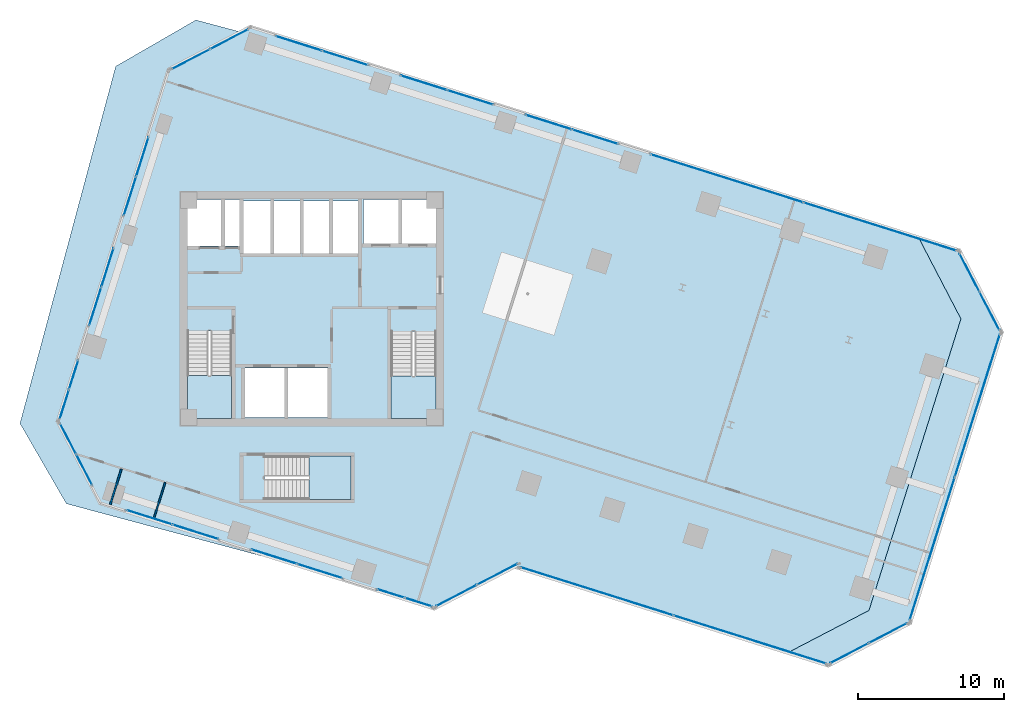
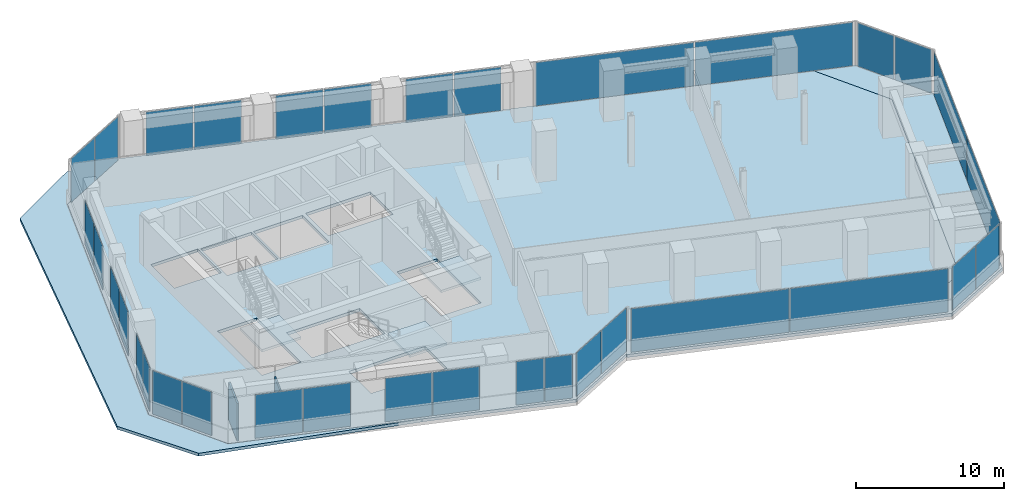
# One storey, part 20 of 28: 34 plates, 6 slabs, 2 walls, 20 elements without a shape of their own.
"""IFC4 building model written with IfcOpenShell, lengths in metres."""

from ifc_helpers import new_model, si_unit, direction, frame, frame_2d, origin, origin_2d, place, context, subcontext, project, spatial, polyline, rectangle, outline, extrude, source, transform, mapped, material, layer, layer_set, type_object, element, aggregate, save


model = new_model("IFC4")

# Units and contexts
model_context = context("Model", 3, precision=1e-05, world=origin(), true_north=direction((0.0, 1.0)))
body_context = subcontext(model_context, "Body", "Model", "MODEL_VIEW")
ifc_project = project(units=[si_unit("LENGTHUNIT", "METRE"), si_unit("AREAUNIT", "SQUARE_METRE"), si_unit("VOLUMEUNIT", "CUBIC_METRE"), si_unit("PLANEANGLEUNIT", "RADIAN"), si_unit("MASSUNIT", "GRAM", prefix="KILO")], contexts=[model_context])

# Site, building, storey
site_placement = place(None, origin())
site = spatial("IfcSite", under=ifc_project, at=site_placement, CompositionType="ELEMENT")
building_placement = place(site_placement, origin())
building = spatial("IfcBuilding", under=site, at=building_placement, Name="Torre Montelarca", CompositionType="ELEMENT")
storey_placement = place(building_placement, frame((0.0, 0.0, 112.60009765625)))
storey = spatial("IfcBuildingStorey", under=building, at=storey_placement, Name="L25", CompositionType="ELEMENT", Elevation=112.60009765625)

# Slabs
ifc_material_1 = material(Name="Concrete C40/50", Category="concrete")
ifc_layer_1 = layer(ifc_material_1, 0.239990234375, Name="Concrete C40/50", Category="concrete")
ifc_layer_set_1 = layer_set([ifc_layer_1], Name="Concrete C40/50")
slab_type_1 = type_object("IfcSlabType", Name="SL-FLR-240", PredefinedType="FLOOR", material=ifc_layer_set_1)
slab_1_placement = place(storey_placement, frame((0.0, 0.0, -0.239990234375)))
element("IfcSlab", 1, at=slab_1_placement, inside=storey, type_object=slab_type_1, Name="L25 Structural Floor Slab", PredefinedType="FLOOR", context=body_context, shape_type="SweptSolid", body=[
    extrude(outline(polyline([(26.422607421875, 11.36474609375), (32.067626953125, 14.30322265625), (32.03759765625, 14.207763671875), (50.635009765625, 8.343994140625), (56.27978515625, 11.28271484375), (62.5947265625, 31.310791015625), (59.65625, 36.95556640625), (13.782470703125, 51.41943359375), (8.137451171875, 48.48095703125), (0.49951171875, 24.256591796875), (3.43798828125, 18.61181640625), (26.422607421875, 11.36474609375)]), holes=[polyline([(20.699951171875, 18.89990234375), (14.760009765625, 18.89990234375), (14.760009765625, 21.889892578125), (20.699951171875, 21.889892578125), (20.699951171875, 18.89990234375)]), polyline([(19.10009765625, 24.550048828125), (13.39990234375, 24.550048828125), (13.39990234375, 27.949951171875), (19.10009765625, 27.949951171875), (19.10009765625, 24.550048828125)]), polyline([(23.43994140625, 24.449951171875), (23.43994140625, 30.429931640625), (26.550048828125, 30.429931640625), (26.550048828125, 24.449951171875), (23.43994140625, 24.449951171875)]), polyline([(9.449951171875, 24.449951171875), (9.449951171875, 30.4599609375), (12.5, 30.4599609375), (12.5, 24.449951171875), (9.449951171875, 24.449951171875)]), polyline([(17.25, 35.800048828125), (13.300048828125, 35.800048828125), (13.300048828125, 39.39990234375), (17.25, 39.39990234375), (17.25, 35.800048828125)]), polyline([(21.25, 35.800048828125), (17.39990234375, 35.800048828125), (17.39990234375, 39.39990234375), (21.25, 39.39990234375), (21.25, 35.800048828125)]), polyline([(13.1201171875, 36.300048828125), (9.449951171875, 36.300048828125), (9.449951171875, 39.5), (13.1201171875, 39.5), (13.1201171875, 36.300048828125)]), polyline([(26.60009765625, 36.449951171875), (21.550048828125, 36.449951171875), (21.550048828125, 39.5), (26.60009765625, 39.5), (26.60009765625, 36.449951171875)])]), origin(), (0.0, 0.0, 1.0), 0.239990234375),
])
slab_2_placement = place(storey_placement, frame((0.0, 0.0, -0.239990234375)))
element("IfcSlab", 2, at=slab_2_placement, inside=storey, type_object=slab_type_1, Name="L25 Sliding Tray Winter Garden Floor Slab E1", PredefinedType="FLOOR", context=body_context, shape_type="SweptSolid", body=[
    extrude(outline(polyline([(59.65625, 36.95556640625), (62.5947265625, 31.310791015625), (56.27978515625, 11.28271484375), (50.635009765625, 8.343994140625), (53.49609375, 7.44189453125), (59.14111328125, 10.380615234375), (65.455810546875, 30.40869140625), (62.517333984375, 36.053466796875), (59.65625, 36.95556640625)])), origin(), (0.0, 0.0, 1.0), 0.239990234375),
])
ifc_material_2 = material(Name="Architectural concrete C40/50", Category="concrete")
ifc_layer_2 = layer(ifc_material_2, 0.239990234375, Name="Architectural concrete C40/50", Category="concrete")
ifc_layer_set_2 = layer_set([ifc_layer_2], Name="Architectural concrete C40/50")
slab_type_2 = type_object("IfcSlabType", Name="SL-ROOF-EXT-240", PredefinedType="ROOF", material=ifc_layer_set_2)
slab_3_placement = place(storey_placement, frame((0.0, 0.0, -0.239990234375)))
element("IfcSlab", 3, at=slab_3_placement, inside=storey, type_object=slab_type_2, Name="L24 Setback and Tray Overhang Roof Cap Slab 01", PredefinedType="ROOF", context=body_context, shape_type="SweptSolid", body=[
    extrude(outline(polyline([(3.4326171875, 18.60498046875), (0.490966796875, 24.255859375), (8.130859375, 48.486572265625), (13.035400390625, 51.03955078125), (10.044921875, 51.8408203125), (4.533447265625, 48.658935546875), (-2.04052734375, 24.12451171875), (1.1416015625, 18.613037109375), (16.22998046875, 14.570068359375), (3.4326171875, 18.60498046875)])), origin(), (0.0, 0.0, 1.0), 0.239990234375),
])

# Stair, slab
stair_type_1 = type_object("IfcStairType", Name="ST-CORE-ST1", PredefinedType="HALF_TURN_STAIR", material=ifc_material_1)
stair_1_placement = place(storey_placement, origin())
stair_1 = element("IfcStair", 4, at=stair_1_placement, inside=storey, type_object=stair_type_1, Name="L25 Protected Exit Stair ST1", PredefinedType="HALF_TURN_STAIR")
ifc_layer_3 = layer(ifc_material_1, 0.199951171875, Name="Concrete C40/50", Category="concrete")
ifc_layer_set_3 = layer_set([ifc_layer_3], Name="Concrete C40/50")
slab_type_3 = type_object("IfcSlabType", Name="SL-ST-LAND-ST1", PredefinedType="LANDING", material=ifc_layer_set_3)
slab_4_placement = place(storey_placement, frame((0.0, 0.0, 1.89990234375)))
slab_4 = element("IfcSlab", 5, at=slab_4_placement, type_object=slab_type_3, Name="ST1 landing 1", PredefinedType="LANDING", context=body_context, shape_type="SweptSolid", body=[
    extrude(outline(polyline([(9.449951171875, 27.419921875), (9.449951171875, 24.449951171875), (12.5, 24.449951171875), (12.5, 27.419921875), (9.449951171875, 27.419921875)])), origin(), (0.0, 0.0, 1.0), 0.199951171875),
])
aggregate(stair_1, [slab_4])

stair_type_2 = type_object("IfcStairType", Name="ST-CORE-ST2", PredefinedType="HALF_TURN_STAIR", material=ifc_material_1)
stair_2_placement = place(storey_placement, origin())
stair_2 = element("IfcStair", 6, at=stair_2_placement, inside=storey, type_object=stair_type_2, Name="L25 Protected Exit Stair ST2", PredefinedType="HALF_TURN_STAIR")
ifc_layer_4 = layer(ifc_material_1, 0.199951171875, Name="Concrete C40/50", Category="concrete")
ifc_layer_set_4 = layer_set([ifc_layer_4], Name="Concrete C40/50")
slab_type_4 = type_object("IfcSlabType", Name="SL-ST-LAND-ST2", PredefinedType="LANDING", material=ifc_layer_set_4)
slab_5_placement = place(storey_placement, frame((0.0, 0.0, 1.89990234375)))
slab_5 = element("IfcSlab", 7, at=slab_5_placement, type_object=slab_type_4, Name="ST2 landing 1", PredefinedType="LANDING", context=body_context, shape_type="SweptSolid", body=[
    extrude(outline(polyline([(23.43994140625, 27.389892578125), (23.43994140625, 24.449951171875), (26.550048828125, 24.449951171875), (26.550048828125, 27.389892578125), (23.43994140625, 27.389892578125)])), origin(), (0.0, 0.0, 1.0), 0.199951171875),
])
aggregate(stair_2, [slab_5])

stair_type_3 = type_object("IfcStairType", Name="ST-CORE-ST3", PredefinedType="HALF_TURN_STAIR", material=ifc_material_1)
stair_3_placement = place(storey_placement, origin())
stair_3 = element("IfcStair", 8, at=stair_3_placement, inside=storey, type_object=stair_type_3, Name="L25 Low-Rise Exit Stair ST3", PredefinedType="HALF_TURN_STAIR")
ifc_layer_5 = layer(ifc_material_1, 0.199951171875, Name="Concrete C40/50", Category="concrete")
ifc_layer_set_5 = layer_set([ifc_layer_5], Name="Concrete C40/50")
slab_type_5 = type_object("IfcSlabType", Name="SL-ST-LAND-ST3", PredefinedType="LANDING", material=ifc_layer_set_5)
slab_6_placement = place(storey_placement, frame((0.0, 0.0, 1.89990234375)))
slab_6 = element("IfcSlab", 9, at=slab_6_placement, type_object=slab_type_5, Name="ST3 landing 1", PredefinedType="LANDING", context=body_context, shape_type="SweptSolid", body=[
    extrude(outline(polyline([(17.800048828125, 18.89990234375), (20.699951171875, 18.89990234375), (20.699951171875, 21.889892578125), (17.800048828125, 21.889892578125), (17.800048828125, 18.89990234375)])), origin(), (0.0, 0.0, 1.0), 0.199951171875),
])
aggregate(stair_3, [slab_6])

# Curtain wall, plates
ifc_material_3 = material(Name="Insulated low-E laminated glass", Category="glass")
curtain_wall_type = type_object("IfcCurtainWallType", Name="CW-SYS-Z1", PredefinedType="USERDEFINED", material=ifc_material_3)
curtain_wall_1_placement = place(storey_placement, origin())
curtain_wall_1 = element("IfcCurtainWall", 10, at=curtain_wall_1_placement, inside=storey, type_object=curtain_wall_type, Name="L25 Curtain Wall Run CW-T3-L25-E05-B1", ObjectType="UNITISED GLAZING", PredefinedType="USERDEFINED")
ifc_layer_6 = layer(ifc_material_3, 0.028076171875, Name="Insulated low-E laminated glass", Category="glass")
ifc_layer_set_6 = layer_set([ifc_layer_6], Name="Insulated low-E laminated glass")
plate_type = type_object("IfcPlateType", Name="CWP-GLZ-28", PredefinedType="CURTAIN_PANEL", material=ifc_layer_set_6)
shared_shape_1 = source(origin(), body_context, "Body", "SweptSolid", [
    extrude(rectangle(XDim=2.918701171875, YDim=0.028076171875, at=origin_2d()), origin(), (0.0, 0.0, 1.0), 3.590087890625),
])
plate_1_placement = place(storey_placement, frame((54.935302734375, 8.337646484375, 0.06494140625), z_axis=(0.0, 0.0, 1.0), x_axis=(0.887021029316, 0.461729026109, 0.0)))
plate_1 = element("IfcPlate", 11, at=plate_1_placement, type_object=plate_type, Name="CW panel 1.1", PredefinedType="CURTAIN_PANEL", context=body_context, shape_type="MappedRepresentation", body=[
    mapped(shared_shape_1, transform((0.0, 0.0, 0.0), scale=1.0)),
])
plate_2_placement = place(storey_placement, frame((57.581787109375, 9.71533203125, 0.06494140625), z_axis=(0.0, 0.0, 1.0), x_axis=(0.887021029316, 0.461729026109, 0.0)))
plate_2 = element("IfcPlate", 12, at=plate_2_placement, type_object=plate_type, Name="CW panel 2.1", PredefinedType="CURTAIN_PANEL", context=body_context, shape_type="MappedRepresentation", body=[
    mapped(shared_shape_1, transform((0.0, 0.0, 0.0), scale=1.0)),
])
aggregate(curtain_wall_1, [plate_1, plate_2])

curtain_wall_2_placement = place(storey_placement, origin())
curtain_wall_2 = element("IfcCurtainWall", 13, at=curtain_wall_2_placement, inside=storey, type_object=curtain_wall_type, Name="L25 Curtain Wall Run CW-T3-L25-E07-B1", ObjectType="UNITISED GLAZING", PredefinedType="USERDEFINED")
plate_3_placement = place(storey_placement, frame((64.56005859375, 31.84765625, 0.06494140625), z_axis=(0.0, 0.0, 1.0), x_axis=(-0.461742069139, 0.887014239788, 0.0)))
plate_3 = element("IfcPlate", 14, at=plate_3_placement, type_object=plate_type, Name="CW panel 1.1", PredefinedType="CURTAIN_PANEL", context=body_context, shape_type="MappedRepresentation", body=[
    mapped(shared_shape_1, transform((0.0, 0.0, 0.0), scale=1.0)),
])
plate_4_placement = place(storey_placement, frame((63.182373046875, 34.494384765625, 0.06494140625), z_axis=(0.0, 0.0, 1.0), x_axis=(-0.461742069139, 0.887014239788, 0.0)))
plate_4 = element("IfcPlate", 15, at=plate_4_placement, type_object=plate_type, Name="CW panel 2.1", PredefinedType="CURTAIN_PANEL", context=body_context, shape_type="MappedRepresentation", body=[
    mapped(shared_shape_1, transform((0.0, 0.0, 0.0), scale=1.0)),
])
aggregate(curtain_wall_2, [plate_3, plate_4])

curtain_wall_3_placement = place(storey_placement, origin())
curtain_wall_3 = element("IfcCurtainWall", 16, at=curtain_wall_3_placement, inside=storey, type_object=curtain_wall_type, Name="L25 Curtain Wall Run CW-T3-L25-E09-B1", ObjectType="UNITISED GLAZING", PredefinedType="USERDEFINED")
plate_5_placement = place(storey_placement, frame((12.34326171875, 50.523681640625, 0.06494140625), z_axis=(0.0, 0.0, 1.0), x_axis=(-0.887021029316, -0.461729026109, 0.0)))
plate_5 = element("IfcPlate", 17, at=plate_5_placement, type_object=plate_type, Name="CW panel 1.1", PredefinedType="CURTAIN_PANEL", context=body_context, shape_type="MappedRepresentation", body=[
    mapped(shared_shape_1, transform((0.0, 0.0, 0.0), scale=1.0)),
])
plate_6_placement = place(storey_placement, frame((9.69677734375, 49.146240234375, 0.06494140625), z_axis=(0.0, 0.0, 1.0), x_axis=(-0.887021029316, -0.461729026109, 0.0)))
plate_6 = element("IfcPlate", 18, at=plate_6_placement, type_object=plate_type, Name="CW panel 2.1", PredefinedType="CURTAIN_PANEL", context=body_context, shape_type="MappedRepresentation", body=[
    mapped(shared_shape_1, transform((0.0, 0.0, 0.0), scale=1.0)),
])
aggregate(curtain_wall_3, [plate_5, plate_6])

curtain_wall_4_placement = place(storey_placement, origin())
curtain_wall_4 = element("IfcCurtainWall", 19, at=curtain_wall_4_placement, inside=storey, type_object=curtain_wall_type, Name="L25 Curtain Wall Run CW-T3-L25-E10-B3", ObjectType="UNITISED GLAZING", PredefinedType="USERDEFINED")
shared_shape_2 = source(origin(), body_context, "Body", "SweptSolid", [
    extrude(rectangle(XDim=2.067138671875, YDim=0.028076171875, at=origin_2d()), origin(), (0.0, 0.0, 1.0), 3.590087890625),
])
plate_7_placement = place(storey_placement, frame((1.644775390625, 27.456787109375, 0.06494140625), z_axis=(0.0, 0.0, 1.0), x_axis=(-0.300704614611, -0.953717324343, 0.0)))
plate_7 = element("IfcPlate", 20, at=plate_7_placement, type_object=plate_type, Name="CW panel 1.1", PredefinedType="CURTAIN_PANEL", context=body_context, shape_type="MappedRepresentation", body=[
    mapped(shared_shape_2, transform((0.0, 0.0, 0.0), scale=1.0)),
])
plate_8_placement = place(storey_placement, frame((1.003662109375, 25.42333984375, 0.06494140625), z_axis=(0.0, 0.0, 1.0), x_axis=(-0.300704614611, -0.953717324343, 0.0)))
plate_8 = element("IfcPlate", 21, at=plate_8_placement, type_object=plate_type, Name="CW panel 2.1", PredefinedType="CURTAIN_PANEL", context=body_context, shape_type="MappedRepresentation", body=[
    mapped(shared_shape_2, transform((0.0, 0.0, 0.0), scale=1.0)),
])
aggregate(curtain_wall_4, [plate_7, plate_8])

curtain_wall_5_placement = place(storey_placement, origin())
curtain_wall_5 = element("IfcCurtainWall", 22, at=curtain_wall_5_placement, inside=storey, type_object=curtain_wall_type, Name="L25 Curtain Wall Run CW-T3-L25-E01-B1", ObjectType="UNITISED GLAZING", PredefinedType="USERDEFINED")
shared_shape_3 = source(origin(), body_context, "Body", "SweptSolid", [
    extrude(rectangle(XDim=3.2724609375, YDim=0.028076171875, at=origin_2d()), origin(), (0.0, 0.0, 1.0), 3.590087890625),
])
plate_9_placement = place(storey_placement, frame((6.844970703125, 17.673828125, 0.06494140625), z_axis=(0.0, 0.0, 1.0), x_axis=(0.953715765505, -0.300709558589, 0.0)))
plate_9 = element("IfcPlate", 23, at=plate_9_placement, type_object=plate_type, Name="CW panel 1.1", PredefinedType="CURTAIN_PANEL", context=body_context, shape_type="MappedRepresentation", body=[
    mapped(shared_shape_3, transform((0.0, 0.0, 0.0), scale=1.0)),
])
plate_10_placement = place(storey_placement, frame((10.028076171875, 16.670166015625, 0.06494140625), z_axis=(0.0, 0.0, 1.0), x_axis=(0.953715765505, -0.300709558589, 0.0)))
plate_10 = element("IfcPlate", 24, at=plate_10_placement, type_object=plate_type, Name="CW panel 2.1", PredefinedType="CURTAIN_PANEL", context=body_context, shape_type="MappedRepresentation", body=[
    mapped(shared_shape_3, transform((0.0, 0.0, 0.0), scale=1.0)),
])
aggregate(curtain_wall_5, [plate_9, plate_10])

curtain_wall_6_placement = place(storey_placement, origin())
curtain_wall_6 = element("IfcCurtainWall", 25, at=curtain_wall_6_placement, inside=storey, type_object=curtain_wall_type, Name="L25 Curtain Wall Run CW-T3-L25-E08-B2", ObjectType="UNITISED GLAZING", PredefinedType="USERDEFINED")
plate_11_placement = place(storey_placement, frame((37.4609375, 43.8173828125, 0.06494140625), z_axis=(0.0, 0.0, 1.0), x_axis=(-0.953714423855, 0.30071381367, 0.0)))
plate_11 = element("IfcPlate", 26, at=plate_11_placement, type_object=plate_type, Name="CW panel 1.1", PredefinedType="CURTAIN_PANEL", context=body_context, shape_type="MappedRepresentation", body=[
    mapped(shared_shape_3, transform((0.0, 0.0, 0.0), scale=1.0)),
])
plate_12_placement = place(storey_placement, frame((34.278076171875, 44.821044921875, 0.06494140625), z_axis=(0.0, 0.0, 1.0), x_axis=(-0.953714423855, 0.30071381367, 0.0)))
plate_12 = element("IfcPlate", 27, at=plate_12_placement, type_object=plate_type, Name="CW panel 2.1", PredefinedType="CURTAIN_PANEL", context=body_context, shape_type="MappedRepresentation", body=[
    mapped(shared_shape_3, transform((0.0, 0.0, 0.0), scale=1.0)),
])
aggregate(curtain_wall_6, [plate_11, plate_12])

curtain_wall_7_placement = place(storey_placement, origin())
curtain_wall_7 = element("IfcCurtainWall", 28, at=curtain_wall_7_placement, inside=storey, type_object=curtain_wall_type, Name="L25 Curtain Wall Run CW-T3-L25-E08-B3", ObjectType="UNITISED GLAZING", PredefinedType="USERDEFINED")
plate_13_placement = place(storey_placement, frame((28.877685546875, 46.523681640625, 0.06494140625), z_axis=(0.0, 0.0, 1.0), x_axis=(-0.953715765505, 0.300709558589, 0.0)))
plate_13 = element("IfcPlate", 29, at=plate_13_placement, type_object=plate_type, Name="CW panel 1.1", PredefinedType="CURTAIN_PANEL", context=body_context, shape_type="MappedRepresentation", body=[
    mapped(shared_shape_3, transform((0.0, 0.0, 0.0), scale=1.0)),
])
plate_14_placement = place(storey_placement, frame((25.694580078125, 47.52734375, 0.06494140625), z_axis=(0.0, 0.0, 1.0), x_axis=(-0.953715765505, 0.300709558589, 0.0)))
plate_14 = element("IfcPlate", 30, at=plate_14_placement, type_object=plate_type, Name="CW panel 2.1", PredefinedType="CURTAIN_PANEL", context=body_context, shape_type="MappedRepresentation", body=[
    mapped(shared_shape_3, transform((0.0, 0.0, 0.0), scale=1.0)),
])
aggregate(curtain_wall_7, [plate_13, plate_14])

curtain_wall_8_placement = place(storey_placement, origin())
curtain_wall_8 = element("IfcCurtainWall", 31, at=curtain_wall_8_placement, inside=storey, type_object=curtain_wall_type, Name="L25 Curtain Wall Run CW-T3-L25-E08-B4", ObjectType="UNITISED GLAZING", PredefinedType="USERDEFINED")
plate_15_placement = place(storey_placement, frame((20.294189453125, 49.22998046875, 0.06494140625), z_axis=(0.0, 0.0, 1.0), x_axis=(-0.953720020459, 0.300696063452, 0.0)))
plate_15 = element("IfcPlate", 32, at=plate_15_placement, type_object=plate_type, Name="CW panel 1.1", PredefinedType="CURTAIN_PANEL", context=body_context, shape_type="MappedRepresentation", body=[
    mapped(shared_shape_3, transform((0.0, 0.0, 0.0), scale=1.0)),
])
plate_16_placement = place(storey_placement, frame((17.111083984375, 50.233642578125, 0.06494140625), z_axis=(0.0, 0.0, 1.0), x_axis=(-0.953720020459, 0.300696063452, 0.0)))
plate_16 = element("IfcPlate", 33, at=plate_16_placement, type_object=plate_type, Name="CW panel 2.1", PredefinedType="CURTAIN_PANEL", context=body_context, shape_type="MappedRepresentation", body=[
    mapped(shared_shape_3, transform((0.0, 0.0, 0.0), scale=1.0)),
])
aggregate(curtain_wall_8, [plate_15, plate_16])

curtain_wall_9_placement = place(storey_placement, origin())
curtain_wall_9 = element("IfcCurtainWall", 34, at=curtain_wall_9_placement, inside=storey, type_object=curtain_wall_type, Name="L25 Curtain Wall Run CW-T3-L25-E01-B2", ObjectType="UNITISED GLAZING", PredefinedType="USERDEFINED")
shared_shape_4 = source(origin(), body_context, "Body", "SweptSolid", [
    extrude(rectangle(XDim=3.23486328125, YDim=0.028076171875, at=origin_2d()), origin(), (0.0, 0.0, 1.0), 3.590087890625),
])
plate_17_placement = place(storey_placement, frame((15.41064453125, 14.97314453125, 0.06494140625), z_axis=(0.0, 0.0, 1.0), x_axis=(0.953721113808, -0.300692595648, 0.0)))
plate_17 = element("IfcPlate", 35, at=plate_17_placement, type_object=plate_type, Name="CW panel 1.1", PredefinedType="CURTAIN_PANEL", context=body_context, shape_type="MappedRepresentation", body=[
    mapped(shared_shape_4, transform((0.0, 0.0, 0.0), scale=1.0)),
])
plate_18_placement = place(storey_placement, frame((18.557861328125, 13.980712890625, 0.06494140625), z_axis=(0.0, 0.0, 1.0), x_axis=(0.953721113808, -0.300692595648, 0.0)))
plate_18 = element("IfcPlate", 36, at=plate_18_placement, type_object=plate_type, Name="CW panel 2.1", PredefinedType="CURTAIN_PANEL", context=body_context, shape_type="MappedRepresentation", body=[
    mapped(shared_shape_4, transform((0.0, 0.0, 0.0), scale=1.0)),
])
aggregate(curtain_wall_9, [plate_17, plate_18])

curtain_wall_10_placement = place(storey_placement, origin())
curtain_wall_10 = element("IfcCurtainWall", 37, at=curtain_wall_10_placement, inside=storey, type_object=curtain_wall_type, Name="L25 Curtain Wall Run CW-T3-L25-E01-B3", ObjectType="UNITISED GLAZING", PredefinedType="USERDEFINED")
shared_shape_5 = source(origin(), body_context, "Body", "SweptSolid", [
    extrude(rectangle(XDim=1.9169921875, YDim=0.028076171875, at=origin_2d()), origin(), (0.0, 0.0, 1.0), 3.590087890625),
])
plate_19_placement = place(storey_placement, frame((23.43701171875, 12.4423828125, 0.06494140625), z_axis=(0.0, 0.0, 1.0), x_axis=(0.953716855087, -0.300706102902, 0.0)))
plate_19 = element("IfcPlate", 38, at=plate_19_placement, type_object=plate_type, Name="CW panel 1.1", PredefinedType="CURTAIN_PANEL", context=body_context, shape_type="MappedRepresentation", body=[
    mapped(shared_shape_5, transform((0.0, 0.0, 0.0), scale=1.0)),
])
plate_20_placement = place(storey_placement, frame((25.327392578125, 11.846435546875, 0.06494140625), z_axis=(0.0, 0.0, 1.0), x_axis=(0.953716855087, -0.300706102902, 0.0)))
plate_20 = element("IfcPlate", 39, at=plate_20_placement, type_object=plate_type, Name="CW panel 2.1", PredefinedType="CURTAIN_PANEL", context=body_context, shape_type="MappedRepresentation", body=[
    mapped(shared_shape_5, transform((0.0, 0.0, 0.0), scale=1.0)),
])
aggregate(curtain_wall_10, [plate_19, plate_20])

curtain_wall_11_placement = place(storey_placement, origin())
curtain_wall_11 = element("IfcCurtainWall", 40, at=curtain_wall_11_placement, inside=storey, type_object=curtain_wall_type, Name="L25 Curtain Wall Run CW-T3-L25-E02-B1", ObjectType="UNITISED GLAZING", PredefinedType="USERDEFINED")
shared_shape_6 = source(origin(), body_context, "Body", "SweptSolid", [
    extrude(rectangle(XDim=3.1025390625, YDim=0.028076171875, at=origin_2d()), origin(), (0.0, 0.0, 1.0), 3.590087890625),
])
plate_21_placement = place(storey_placement, frame((27.943359375, 12.302978515625, 0.06494140625), z_axis=(0.0, 0.0, 1.0), x_axis=(0.887014618203, 0.461741342198, 0.0)))
plate_21 = element("IfcPlate", 41, at=plate_21_placement, type_object=plate_type, Name="CW panel 1.1", PredefinedType="CURTAIN_PANEL", context=body_context, shape_type="MappedRepresentation", body=[
    mapped(shared_shape_6, transform((0.0, 0.0, 0.0), scale=1.0)),
])
plate_22_placement = place(storey_placement, frame((30.7529296875, 13.765380859375, 0.06494140625), z_axis=(0.0, 0.0, 1.0), x_axis=(0.887014618203, 0.461741342198, 0.0)))
plate_22 = element("IfcPlate", 42, at=plate_22_placement, type_object=plate_type, Name="CW panel 2.1", PredefinedType="CURTAIN_PANEL", context=body_context, shape_type="MappedRepresentation", body=[
    mapped(shared_shape_6, transform((0.0, 0.0, 0.0), scale=1.0)),
])
aggregate(curtain_wall_11, [plate_21, plate_22])

curtain_wall_12_placement = place(storey_placement, origin())
curtain_wall_12 = element("IfcCurtainWall", 43, at=curtain_wall_12_placement, inside=storey, type_object=curtain_wall_type, Name="L25 Curtain Wall Run CW-T3-L25-E10-B2", ObjectType="UNITISED GLAZING", PredefinedType="USERDEFINED")
shared_shape_7 = source(origin(), body_context, "Body", "SweptSolid", [
    extrude(rectangle(XDim=2.735107421875, YDim=0.028076171875, at=origin_2d()), origin(), (0.0, 0.0, 1.0), 3.590087890625),
])
plate_23_placement = place(storey_placement, frame((3.97265625, 34.839599609375, 0.06494140625), z_axis=(0.0, 0.0, 1.0), x_axis=(-0.300706394131, -0.953716763263, 0.0)))
plate_23 = element("IfcPlate", 44, at=plate_23_placement, type_object=plate_type, Name="CW panel 1.1", PredefinedType="CURTAIN_PANEL", context=body_context, shape_type="MappedRepresentation", body=[
    mapped(shared_shape_7, transform((0.0, 0.0, 0.0), scale=1.0)),
])
plate_24_placement = place(storey_placement, frame((3.130615234375, 32.169189453125, 0.06494140625), z_axis=(0.0, 0.0, 1.0), x_axis=(-0.300706394131, -0.953716763263, 0.0)))
plate_24 = element("IfcPlate", 45, at=plate_24_placement, type_object=plate_type, Name="CW panel 2.1", PredefinedType="CURTAIN_PANEL", context=body_context, shape_type="MappedRepresentation", body=[
    mapped(shared_shape_7, transform((0.0, 0.0, 0.0), scale=1.0)),
])
aggregate(curtain_wall_12, [plate_23, plate_24])

curtain_wall_13_placement = place(storey_placement, origin())
curtain_wall_13 = element("IfcCurtainWall", 46, at=curtain_wall_13_placement, inside=storey, type_object=curtain_wall_type, Name="L25 Curtain Wall Run CW-T3-L25-E06-B1", ObjectType="UNITISED GLAZING", PredefinedType="USERDEFINED")
shared_shape_8 = source(origin(), body_context, "Body", "SweptSolid", [
    extrude(rectangle(XDim=10.23681640625, YDim=0.028076171875, at=origin_2d()), origin(), (0.0, 0.0, 1.0), 3.590087890625),
])
plate_25_placement = place(storey_placement, frame((60.62548828125, 15.521240234375, 0.06494140625), z_axis=(0.0, 0.0, 1.0), x_axis=(0.300705506127, 0.95371704325, 0.0)))
plate_25 = element("IfcPlate", 47, at=plate_25_placement, type_object=plate_type, Name="CW panel 1.1", PredefinedType="CURTAIN_PANEL", context=body_context, shape_type="MappedRepresentation", body=[
    mapped(shared_shape_8, transform((0.0, 0.0, 0.0), scale=1.0)),
])
plate_26_placement = place(storey_placement, frame((63.723388671875, 25.345947265625, 0.06494140625), z_axis=(0.0, 0.0, 1.0), x_axis=(0.300705506127, 0.95371704325, 0.0)))
plate_26 = element("IfcPlate", 48, at=plate_26_placement, type_object=plate_type, Name="CW panel 2.1", PredefinedType="CURTAIN_PANEL", context=body_context, shape_type="MappedRepresentation", body=[
    mapped(shared_shape_8, transform((0.0, 0.0, 0.0), scale=1.0)),
])
aggregate(curtain_wall_13, [plate_25, plate_26])

curtain_wall_14_placement = place(storey_placement, origin())
curtain_wall_14 = element("IfcCurtainWall", 49, at=curtain_wall_14_placement, inside=storey, type_object=curtain_wall_type, Name="L25 Curtain Wall Run CW-T3-L25-E08-B1", ObjectType="UNITISED GLAZING", PredefinedType="USERDEFINED")
shared_shape_9 = source(origin(), body_context, "Body", "SweptSolid", [
    extrude(rectangle(XDim=10.95458984375, YDim=0.028076171875, at=origin_2d()), origin(), (0.0, 0.0, 1.0), 3.590087890625),
])
plate_27_placement = place(storey_placement, frame((57.034423828125, 37.64599609375, 0.06494140625), z_axis=(0.0, 0.0, 1.0), x_axis=(-0.953717947538, 0.300702638073, 0.0)))
plate_27 = element("IfcPlate", 50, at=plate_27_placement, type_object=plate_type, Name="CW panel 1.1", PredefinedType="CURTAIN_PANEL", context=body_context, shape_type="MappedRepresentation", body=[
    mapped(shared_shape_9, transform((0.0, 0.0, 0.0), scale=1.0)),
])
plate_28_placement = place(storey_placement, frame((46.524658203125, 40.959716796875, 0.06494140625), z_axis=(0.0, 0.0, 1.0), x_axis=(-0.953717947538, 0.300702638073, 0.0)))
plate_28 = element("IfcPlate", 51, at=plate_28_placement, type_object=plate_type, Name="CW panel 2.1", PredefinedType="CURTAIN_PANEL", context=body_context, shape_type="MappedRepresentation", body=[
    mapped(shared_shape_9, transform((0.0, 0.0, 0.0), scale=1.0)),
])
aggregate(curtain_wall_14, [plate_27, plate_28])

curtain_wall_15_placement = place(storey_placement, origin())
curtain_wall_15 = element("IfcCurtainWall", 52, at=curtain_wall_15_placement, inside=storey, type_object=curtain_wall_type, Name="L25 Curtain Wall Run CW-T3-L25-E10-B1", ObjectType="UNITISED GLAZING", PredefinedType="USERDEFINED")
shared_shape_10 = source(origin(), body_context, "Body", "SweptSolid", [
    extrude(rectangle(XDim=2.7724609375, YDim=0.028076171875, at=origin_2d()), origin(), (0.0, 0.0, 1.0), 3.590087890625),
])
plate_29_placement = place(storey_placement, frame((6.37255859375, 42.451416015625, 0.06494140625), z_axis=(0.0, 0.0, 1.0), x_axis=(-0.30069943559, -0.953718957259, 0.0)))
plate_29 = element("IfcPlate", 53, at=plate_29_placement, type_object=plate_type, Name="CW panel 1.1", PredefinedType="CURTAIN_PANEL", context=body_context, shape_type="MappedRepresentation", body=[
    mapped(shared_shape_10, transform((0.0, 0.0, 0.0), scale=1.0)),
])
plate_30_placement = place(storey_placement, frame((5.519287109375, 39.7451171875, 0.06494140625), z_axis=(0.0, 0.0, 1.0), x_axis=(-0.30069943559, -0.953718957259, 0.0)))
plate_30 = element("IfcPlate", 54, at=plate_30_placement, type_object=plate_type, Name="CW panel 2.1", PredefinedType="CURTAIN_PANEL", context=body_context, shape_type="MappedRepresentation", body=[
    mapped(shared_shape_10, transform((0.0, 0.0, 0.0), scale=1.0)),
])
aggregate(curtain_wall_15, [plate_29, plate_30])

curtain_wall_16_placement = place(storey_placement, origin())
curtain_wall_16 = element("IfcCurtainWall", 55, at=curtain_wall_16_placement, inside=storey, type_object=curtain_wall_type, Name="L25 Curtain Wall Run CW-T3-L25-E11-B1", ObjectType="UNITISED GLAZING", PredefinedType="USERDEFINED")
shared_shape_11 = source(origin(), body_context, "Body", "SweptSolid", [
    extrude(rectangle(XDim=2.33056640625, YDim=0.028076171875, at=origin_2d()), origin(), (0.0, 0.0, 1.0), 3.590087890625),
])
plate_31_placement = place(storey_placement, frame((1.259521484375, 23.078369140625, 0.06494140625), z_axis=(0.0, 0.0, 1.0), x_axis=(0.461750150245, -0.88701003306, 0.0)))
plate_31 = element("IfcPlate", 56, at=plate_31_placement, type_object=plate_type, Name="CW panel 1.1", PredefinedType="CURTAIN_PANEL", context=body_context, shape_type="MappedRepresentation", body=[
    mapped(shared_shape_11, transform((0.0, 0.0, 0.0), scale=1.0)),
])
plate_32_placement = place(storey_placement, frame((2.36572265625, 20.953369140625, 0.06494140625), z_axis=(0.0, 0.0, 1.0), x_axis=(0.461750150245, -0.88701003306, 0.0)))
plate_32 = element("IfcPlate", 57, at=plate_32_placement, type_object=plate_type, Name="CW panel 2.1", PredefinedType="CURTAIN_PANEL", context=body_context, shape_type="MappedRepresentation", body=[
    mapped(shared_shape_11, transform((0.0, 0.0, 0.0), scale=1.0)),
])
aggregate(curtain_wall_16, [plate_31, plate_32])

curtain_wall_17_placement = place(storey_placement, origin())
curtain_wall_17 = element("IfcCurtainWall", 58, at=curtain_wall_17_placement, inside=storey, type_object=curtain_wall_type, Name="L25 Curtain Wall Run CW-T3-L25-E04-B1", ObjectType="UNITISED GLAZING", PredefinedType="USERDEFINED")
shared_shape_12 = source(origin(), body_context, "Body", "SweptSolid", [
    extrude(rectangle(XDim=10.948486328125, YDim=0.028076171875, at=origin_2d()), origin(), (0.0, 0.0, 1.0), 3.590087890625),
])
plate_33_placement = place(storey_placement, frame((37.59033203125, 12.59326171875, 0.06494140625), z_axis=(0.0, 0.0, 1.0), x_axis=(0.953718500235, -0.300700885116, 0.0)))
plate_33 = element("IfcPlate", 59, at=plate_33_placement, type_object=plate_type, Name="CW panel 1.1", PredefinedType="CURTAIN_PANEL", context=body_context, shape_type="MappedRepresentation", body=[
    mapped(shared_shape_12, transform((0.0, 0.0, 0.0), scale=1.0)),
])
plate_34_placement = place(storey_placement, frame((48.093994140625, 9.281494140625, 0.06494140625), z_axis=(0.0, 0.0, 1.0), x_axis=(0.953718500235, -0.300700885116, 0.0)))
plate_34 = element("IfcPlate", 60, at=plate_34_placement, type_object=plate_type, Name="CW panel 2.1", PredefinedType="CURTAIN_PANEL", context=body_context, shape_type="MappedRepresentation", body=[
    mapped(shared_shape_12, transform((0.0, 0.0, 0.0), scale=1.0)),
])
aggregate(curtain_wall_17, [plate_33, plate_34])

# Walls
ifc_material_4 = material(Name="Acoustic laminated glass partition", Category="glass")
ifc_layer_7 = layer(ifc_material_4, 0.10009765625, Name="Acoustic laminated glass partition", Category="glass")
ifc_layer_set_7 = layer_set([ifc_layer_7], Name="Acoustic laminated glass partition")
wall_type_1 = type_object("IfcWallType", Name="PW-GLAZ-100", PredefinedType="PARTITIONING", material=ifc_layer_set_7)
wall_1_placement = place(storey_placement, frame((7.1640625, 17.62548828125, 0.0), z_axis=(0.0, 0.0, 1.0), x_axis=(0.300705230461, 0.953717130167, 0.0)))
element("IfcWall", 61, at=wall_1_placement, inside=storey, type_object=wall_type_1, Name="L25 Interior Partition W-L25-SWCDIV", PredefinedType="PARTITIONING", context=body_context, shape_type="SweptSolid", body=[
    extrude(rectangle(XDim=2.550048828125, YDim=0.10009765625, at=frame_2d((1.27490234375, 0.0))), origin(), (0.0, 0.0, 1.0), 3.094970703125),
])
ifc_material_5 = material(Name="Gypsum plasterboard on steel stud", Category="steel")
ifc_layer_8 = layer(ifc_material_5, 0.114990234375, Name="Gypsum plasterboard on steel stud", Category="steel")
ifc_layer_set_8 = layer_set([ifc_layer_8], Name="Gypsum plasterboard on steel stud")
wall_type_2 = type_object("IfcWallType", Name="PW-PART-115", PredefinedType="PARTITIONING", material=ifc_layer_set_8)
wall_2_placement = place(storey_placement, frame((4.159912109375, 18.57275390625, 0.0), z_axis=(0.0, 0.0, 1.0), x_axis=(0.300618147946, 0.95374458275, 0.0)))
element("IfcWall", 62, at=wall_2_placement, inside=storey, type_object=wall_type_2, Name="L25 Interior Partition W-L25-WCD", PredefinedType="PARTITIONING", context=body_context, shape_type="SweptSolid", body=[
    extrude(rectangle(XDim=2.550048828125, YDim=0.114990234375, at=frame_2d((1.27490234375, 0.0))), origin(), (0.0, 0.0, 1.0), 3.094970703125),
])

save(model, "model.ifc")
